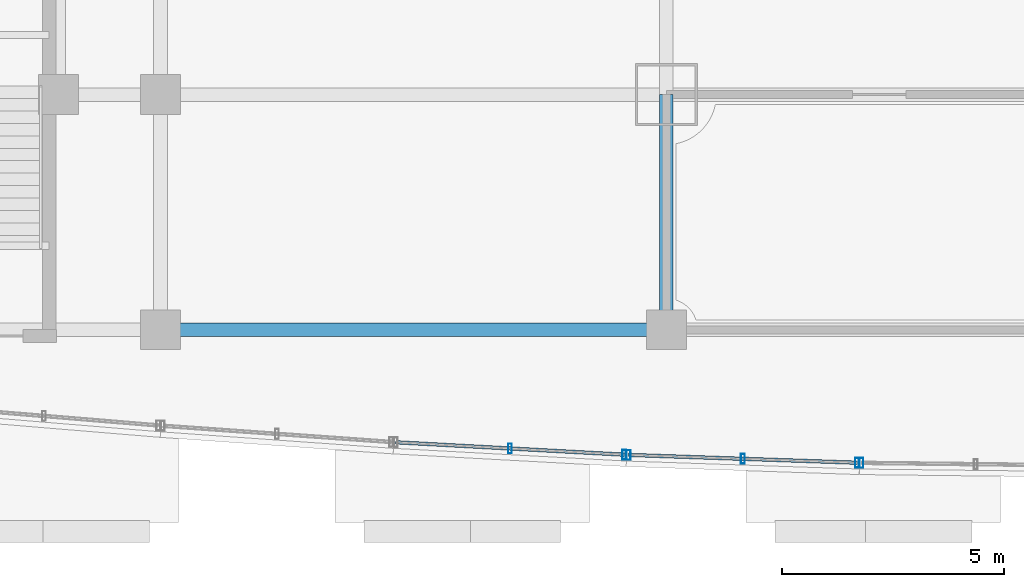
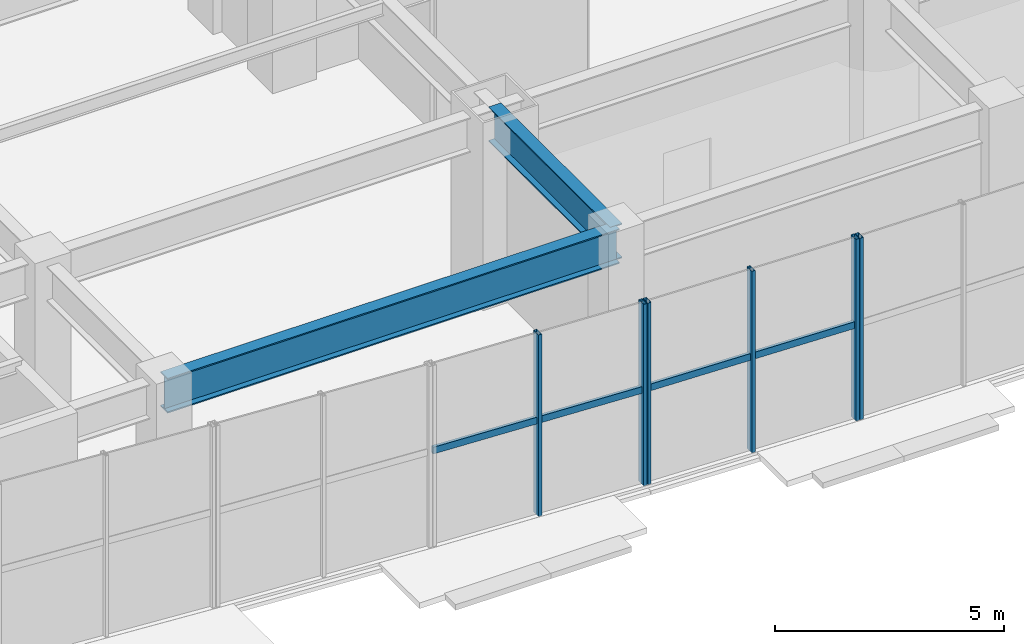
# One storey, part 4 of 24: 8 members, 2 beams, 3 elements without a shape of their own.
"""IFC4 building model written with IfcOpenShell, lengths in metres."""

from ifc_helpers import new_model, si_unit, direction, frame, origin, origin_2d, place, context, subcontext, project, spatial, hollow_rectangle, i_section, extrude, material, layer, layer_set, material_profile, profile_set, type_object, element, aggregate, save


model = new_model("IFC4")

# Units and contexts
model_context = context("Model", 3, precision=1e-05, world=origin(), true_north=direction((0.0, 1.0)))
body_context = subcontext(model_context, "Body", "Model", "MODEL_VIEW")
ifc_project = project(units=[si_unit("LENGTHUNIT", "METRE"), si_unit("AREAUNIT", "SQUARE_METRE"), si_unit("VOLUMEUNIT", "CUBIC_METRE"), si_unit("PLANEANGLEUNIT", "RADIAN"), si_unit("MASSUNIT", "GRAM", prefix="KILO")], contexts=[model_context])

# Site, building, storey
site_placement = place(None, origin())
site = spatial("IfcSite", under=ifc_project, at=site_placement, CompositionType="ELEMENT")
building_placement = place(site_placement, origin())
building = spatial("IfcBuilding", under=site, at=building_placement, Name="Vantalir Tower", CompositionType="ELEMENT")
storey_placement = place(building_placement, frame((0.0, 0.0, 6.0)))
storey = spatial("IfcBuildingStorey", under=building, at=storey_placement, Name="L01", CompositionType="ELEMENT", Elevation=6.0)

# Beams
ifc_material_1 = material(Name="Steel S355", Category="steel")
ifc_material_profile_1 = material_profile(ifc_material_1, i_section(OverallWidth=0.30810546875, OverallDepth=0.927001953125, WebThickness=0.01953125, FlangeThickness=0.031982421875, at=origin_2d()), Name="Steel S355")
ifc_profile_set_1 = profile_set([ifc_material_profile_1], Name="Steel S355")
beam_type = type_object("IfcBeamType", Name="BM-PG-914x305", PredefinedType="USERDEFINED", material=ifc_profile_set_1)
beam_1_placement = place(storey_placement, frame((10.5, 3.199951171875, 4.35595703125), z_axis=(1.0, 0.0, 0.0), x_axis=(0.0, 1.0, 0.0)))
element("IfcBeam", 1, at=beam_1_placement, inside=storey, type_object=beam_type, Name="Level 01 Podium E-W Girder 02", ObjectType="GIRDER", PredefinedType="USERDEFINED", context=body_context, shape_type="SweptSolid", body=[
    extrude(i_section(OverallWidth=0.30810546875, OverallDepth=0.927001953125, WebThickness=0.01953125, FlangeThickness=0.031982421875, at=origin_2d()), origin(), (0.0, 0.0, 1.0), 11.39990234375),
])
beam_2_placement = place(storey_placement, frame((21.89990234375, 3.199951171875, 4.35595703125), z_axis=(0.0, 1.0, 0.0), x_axis=(-1.0, 0.0, 0.0)))
element("IfcBeam", 2, at=beam_2_placement, inside=storey, type_object=beam_type, Name="Level 01 Podium N-S Girder 56", ObjectType="GIRDER", PredefinedType="USERDEFINED", context=body_context, shape_type="SweptSolid", body=[
    extrude(i_section(OverallWidth=0.30810546875, OverallDepth=0.927001953125, WebThickness=0.01953125, FlangeThickness=0.031982421875, at=origin_2d()), origin(), (0.0, 0.0, 1.0), 5.300048828125),
])

# Curtain wall, members
ifc_material_2 = material(Name="Champagne-silver PVDF aluminium and double-silver Low-E glass", Category="aluminium")
ifc_layer = layer(ifc_material_2, 0.239990234375)
ifc_layer_set = layer_set([ifc_layer], Name="Champagne-silver PVDF aluminium and double-silver Low-E glass")
curtain_wall_type = type_object("IfcCurtainWallType", Name="CW-PODIUM-WF", PredefinedType="USERDEFINED", material=ifc_layer_set)
curtain_wall_1_placement = place(storey_placement, origin())
curtain_wall_1 = element("IfcCurtainWall", 3, at=curtain_wall_1_placement, inside=storey, type_object=curtain_wall_type, Name="Level 01 Waterfront Stick Curtain Wall 04", ObjectType="STICK CURTAIN WALL", PredefinedType="USERDEFINED")
ifc_material_3 = material(Name="Champagne-silver PVDF aluminium 6063-T6", Category="aluminium")
ifc_material_profile_2 = material_profile(ifc_material_3, hollow_rectangle(XDim=0.0849609375, YDim=0.219970703125, WallThickness=0.0048828125, at=origin_2d()), Name="Champagne-silver PVDF aluminium 6063-T6")
ifc_profile_set_2 = profile_set([ifc_material_profile_2], Name="Champagne-silver PVDF aluminium 6063-T6")
member_type_1 = type_object("IfcMemberType", Name="CWM-220x85", PredefinedType="MULLION", material=ifc_profile_set_2)
member_1_placement = place(storey_placement, frame((18.375, 0.52392578125, -0.011962890625), z_axis=(0.0, 0.0, 1.0), x_axis=(1.0, 0.0, 0.0)))
member_1 = element("IfcMember", 4, at=member_1_placement, type_object=member_type_1, Name="CW-L01-WF-04 Mullion 2", PredefinedType="MULLION", context=body_context, shape_type="SweptSolid", body=[
    extrude(hollow_rectangle(XDim=0.0849609375, YDim=0.219970703125, WallThickness=0.0048828125, at=origin_2d()), origin(), (0.0, 0.0, 1.0), 4.843994140625),
])
member_2_placement = place(storey_placement, frame((20.949951171875, 0.384033203125, -0.011962890625), z_axis=(0.0, 0.0, 1.0), x_axis=(1.0, 0.0, 0.0)))
member_2 = element("IfcMember", 5, at=member_2_placement, type_object=member_type_1, Name="CW-L01-WF-04 Mullion 3", PredefinedType="MULLION", context=body_context, shape_type="SweptSolid", body=[
    extrude(hollow_rectangle(XDim=0.0849609375, YDim=0.219970703125, WallThickness=0.0048828125, at=origin_2d()), origin(), (0.0, 0.0, 1.0), 4.843994140625),
])

curtain_wall_2_placement = place(storey_placement, origin())
curtain_wall_2 = element("IfcCurtainWall", 6, at=curtain_wall_2_placement, inside=storey, type_object=curtain_wall_type, Name="Level 01 Waterfront Stick Curtain Wall 05", ObjectType="STICK CURTAIN WALL", PredefinedType="USERDEFINED")
member_3_placement = place(storey_placement, frame((21.050048828125, 0.37890625, -0.011962890625), z_axis=(0.0, 0.0, 1.0), x_axis=(1.0, 0.0, 0.0)))
member_3 = element("IfcMember", 7, at=member_3_placement, type_object=member_type_1, Name="CW-L01-WF-05 Mullion 1", PredefinedType="MULLION", context=body_context, shape_type="SweptSolid", body=[
    extrude(hollow_rectangle(XDim=0.0849609375, YDim=0.219970703125, WallThickness=0.0048828125, at=origin_2d()), origin(), (0.0, 0.0, 1.0), 4.843994140625),
])
member_4_placement = place(storey_placement, frame((23.625, 0.291015625, -0.011962890625), z_axis=(0.0, 0.0, 1.0), x_axis=(1.0, 0.0, 0.0)))
member_4 = element("IfcMember", 8, at=member_4_placement, type_object=member_type_1, Name="CW-L01-WF-05 Mullion 2", PredefinedType="MULLION", context=body_context, shape_type="SweptSolid", body=[
    extrude(hollow_rectangle(XDim=0.0849609375, YDim=0.219970703125, WallThickness=0.0048828125, at=origin_2d()), origin(), (0.0, 0.0, 1.0), 4.843994140625),
])
member_5_placement = place(storey_placement, frame((26.199951171875, 0.202880859375, -0.011962890625), z_axis=(0.0, 0.0, 1.0), x_axis=(1.0, 0.0, 0.0)))
member_5 = element("IfcMember", 9, at=member_5_placement, type_object=member_type_1, Name="CW-L01-WF-05 Mullion 3", PredefinedType="MULLION", context=body_context, shape_type="SweptSolid", body=[
    extrude(hollow_rectangle(XDim=0.0849609375, YDim=0.219970703125, WallThickness=0.0048828125, at=origin_2d()), origin(), (0.0, 0.0, 1.0), 4.843994140625),
])

# Curtain wall, member
curtain_wall_3_placement = place(storey_placement, origin())
curtain_wall_3 = element("IfcCurtainWall", 10, at=curtain_wall_3_placement, inside=storey, type_object=curtain_wall_type, Name="Level 01 Waterfront Stick Curtain Wall 06", ObjectType="STICK CURTAIN WALL", PredefinedType="USERDEFINED")
member_6_placement = place(storey_placement, frame((26.300048828125, 0.199951171875, -0.011962890625), z_axis=(0.0, 0.0, 1.0), x_axis=(1.0, 0.0, 0.0)))
member_6 = element("IfcMember", 11, at=member_6_placement, type_object=member_type_1, Name="CW-L01-WF-06 Mullion 1", PredefinedType="MULLION", context=body_context, shape_type="SweptSolid", body=[
    extrude(hollow_rectangle(XDim=0.0849609375, YDim=0.219970703125, WallThickness=0.0048828125, at=origin_2d()), origin(), (0.0, 0.0, 1.0), 4.843994140625),
])
aggregate(curtain_wall_3, [member_6])

# Member
ifc_material_profile_3 = material_profile(ifc_material_3, hollow_rectangle(XDim=0.080078125, YDim=0.179931640625, WallThickness=0.0048828125, at=origin_2d()), Name="Champagne-silver PVDF aluminium 6063-T6")
ifc_profile_set_3 = profile_set([ifc_material_profile_3], Name="Champagne-silver PVDF aluminium 6063-T6")
member_type_2 = type_object("IfcMemberType", Name="CWT-180x80", PredefinedType="USERDEFINED", material=ifc_profile_set_3)
member_7_placement = place(storey_placement, frame((15.800048828125, 0.6640625, 2.506103515625), z_axis=(0.99852491449, -0.054295443108, 0.0), x_axis=(0.054295443108, 0.99852491449, 0.0)))
member_7 = element("IfcMember", 12, at=member_7_placement, type_object=member_type_2, Name="CW-L01-WF-04 Transom 1", ObjectType="TRANSOM", PredefinedType="USERDEFINED", context=body_context, shape_type="SweptSolid", body=[
    extrude(hollow_rectangle(XDim=0.080078125, YDim=0.179931640625, WallThickness=0.0048828125, at=origin_2d()), origin(), (0.0, 0.0, 1.0), 5.157470703125),
])

aggregate(curtain_wall_1, [member_1, member_2, member_7])

member_8_placement = place(storey_placement, frame((21.050048828125, 0.37890625, 2.506103515625), z_axis=(0.999416363673, -0.034160386755, 0.0), x_axis=(0.034160386755, 0.999416363673, 0.0)))
member_8 = element("IfcMember", 13, at=member_8_placement, type_object=member_type_2, Name="CW-L01-WF-05 Transom 1", ObjectType="TRANSOM", PredefinedType="USERDEFINED", context=body_context, shape_type="SweptSolid", body=[
    extrude(hollow_rectangle(XDim=0.080078125, YDim=0.179931640625, WallThickness=0.0048828125, at=origin_2d()), origin(), (0.0, 0.0, 1.0), 5.15283203125),
])

aggregate(curtain_wall_2, [member_3, member_4, member_5, member_8])

save(model, "model.ifc")
